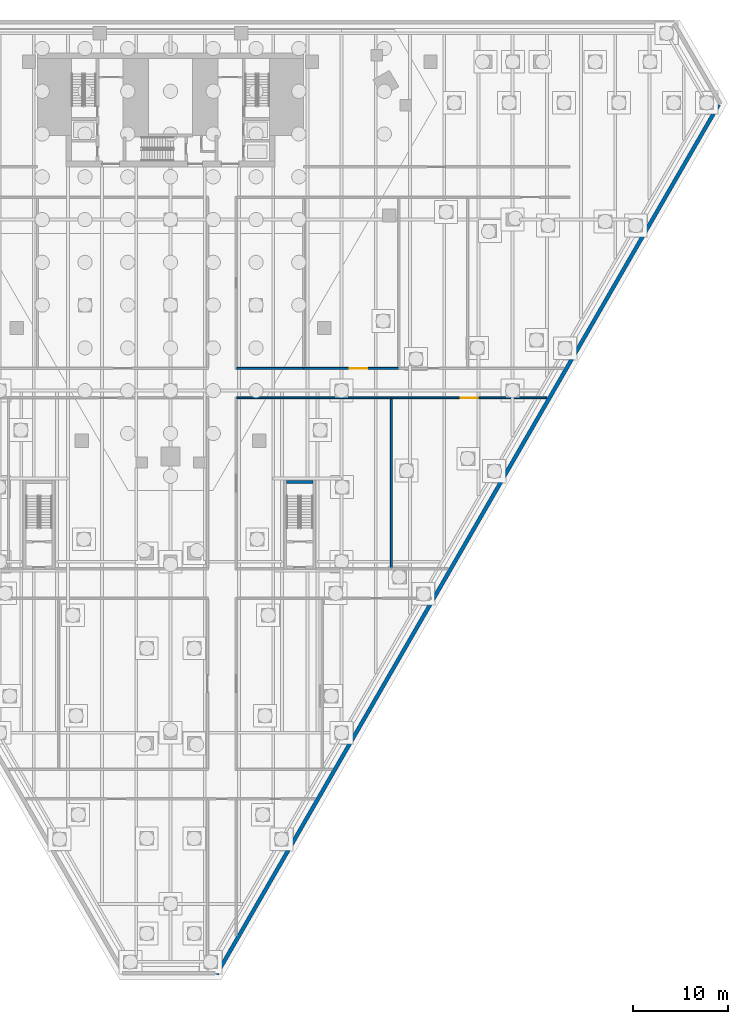
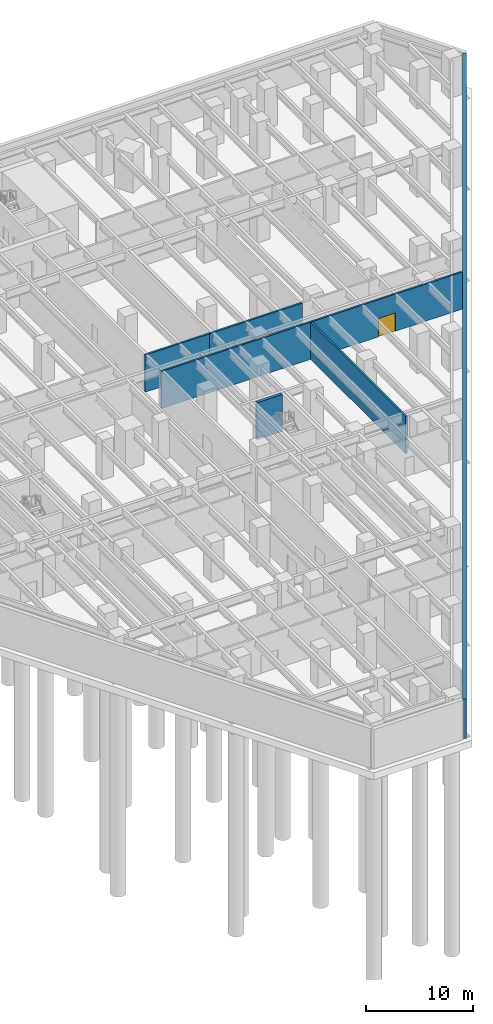
# One storey, part 10 of 18: 7 walls, 2 doors, 2 openings.
"""IFC4 building model written with IfcOpenShell, lengths in metres."""

import ifcopenshell
import ifcopenshell.guid

model = None  # the IFC model being written
_history = None  # IfcOwnerHistory: only IFC2X3 demands one
_inside = {}  # id of a spatial element -> (the spatial element, [elements in it])
_under = {}  # id of a project, library or spatial element -> (it, [spatial elements below it])
_declared = {}  # id of a project -> (the project, [libraries it declares])
_typed = {}  # id of a type object -> (the type object, [elements of that type])
_made_of = {}  # id of a material, layer set ... -> (it, [elements and type objects made of it])


def new_model(schema):
    """Start an empty IFC model of exactly this schema.

    Asked for "IFC4X3", IfcOpenShell would pick the latest addendum, in which some entities
    have other attributes; the version numbers below select the first issue.
    IFC2X3 requires an IfcOwnerHistory on every rooted entity: one is made here for all.
    """
    global model, _history
    if schema == "IFC4X3":
        model = ifcopenshell.file(schema_version=(4, 3, 0, 0))
    else:
        model = ifcopenshell.file(schema=schema)
    _inside.clear()
    _under.clear()
    _declared.clear()
    _typed.clear()
    _made_of.clear()
    _history = None
    if model.schema == "IFC2X3":
        org = make("IfcOrganization", Name="unknown")
        user = make(
            "IfcPersonAndOrganization",
            ThePerson=make("IfcPerson", FamilyName="unknown"),
            TheOrganization=org,
        )
        app = make(
            "IfcApplication",
            ApplicationDeveloper=org,
            Version="unknown",
            ApplicationFullName="unknown",
            ApplicationIdentifier="unknown",
        )
        _history = make(
            "IfcOwnerHistory",
            OwningUser=user,
            OwningApplication=app,
            ChangeAction="ADDED",
            CreationDate=0,
        )
    return model


def make(cls, **values):
    """One entity of the class cls with the attributes given. An attribute that is None is left unset."""
    return model.create_entity(
        cls, **{name: value for name, value in values.items() if value is not None}
    )


def rooted(cls, **values):
    """An entity with a GlobalId (a new one), such as an element, a storey or a relation."""
    return make(cls, GlobalId=ifcopenshell.guid.new(), OwnerHistory=_history, **values)


def si_unit(unit_type, name, prefix=None):
    """IfcSIUnit, for example si_unit("LENGTHUNIT", "METRE", prefix="MILLI")."""
    return make("IfcSIUnit", UnitType=unit_type, Prefix=prefix, Name=name)


def assignment(units):
    """IfcUnitAssignment: the units of a project."""
    return None if units is None else make("IfcUnitAssignment", Units=units)


def point(xyz):
    """IfcCartesianPoint."""
    return None if xyz is None else make("IfcCartesianPoint", Coordinates=xyz)


def direction(xyz):
    """IfcDirection."""
    return None if xyz is None else make("IfcDirection", DirectionRatios=xyz)


def frame(location, z_axis=None, x_axis=None):
    """IfcAxis2Placement3D, a coordinate frame: its origin and axes. An axis left out is left unset."""
    return make(
        "IfcAxis2Placement3D",
        Location=point(location),
        Axis=direction(z_axis),
        RefDirection=direction(x_axis),
    )


def frame_2d(location, x_axis=None):
    """IfcAxis2Placement2D, a coordinate frame in the plane: its origin and x axis."""
    return make(
        "IfcAxis2Placement2D", Location=point(location), RefDirection=direction(x_axis)
    )


def origin():
    """The frame at (0, 0, 0) with its axes left unset."""
    return frame((0.0, 0.0, 0.0))


def place(relative_to, where):
    """IfcLocalPlacement: puts the frame where relative to a parent placement (None: the world)."""
    return make(
        "IfcLocalPlacement", PlacementRelTo=relative_to, RelativePlacement=where
    )


def context(
    kind, dimensions, precision=None, world=None, true_north=None, identifier=None
):
    """IfcGeometricRepresentationContext, for example the 3D "Model" context."""
    return make(
        "IfcGeometricRepresentationContext",
        ContextIdentifier=identifier,
        ContextType=kind,
        CoordinateSpaceDimension=dimensions,
        Precision=precision,
        WorldCoordinateSystem=world,
        TrueNorth=true_north,
    )


def subcontext(parent, identifier, kind, view, scale=None):
    """IfcGeometricRepresentationSubContext, for example "Body" below "Model"."""
    return make(
        "IfcGeometricRepresentationSubContext",
        ContextIdentifier=identifier,
        ContextType=kind,
        ParentContext=parent,
        TargetScale=scale,
        TargetView=view,
    )


def project(units=None, contexts=None):
    """IfcProject with its units and contexts."""
    return rooted(
        "IfcProject",
        Name="project",
        RepresentationContexts=contexts,
        UnitsInContext=assignment(units),
    )


def spatial(cls, under=None, at=None, **own):
    """A site, building, storey or space (cls), placed at a placement, below another one or the project."""
    s = rooted(cls, ObjectPlacement=at, **own)
    if under is not None:
        _under.setdefault(under.id(), (under, []))[1].append(s)
    return s


def profile(cls, at=None, kind="AREA", **sizes):
    """A parametric profile (cls). Its sizes go by their IFC names, for example OverallWidth=200.0."""
    return make(cls, ProfileType=kind, Position=at, **sizes)


def rectangle(**sizes):
    """IfcRectangleProfileDef."""
    return profile("IfcRectangleProfileDef", **sizes)


def extrude(swept, where, along, depth):
    """IfcExtrudedAreaSolid: the profile swept, set in the frame where, extruded along a direction by depth."""
    return make(
        "IfcExtrudedAreaSolid",
        SweptArea=swept,
        Position=where,
        ExtrudedDirection=direction(along),
        Depth=depth,
    )


def shape(context_of_items, identifier, shape_type, items):
    """IfcShapeRepresentation: the items that make up one representation, for example the "Body"."""
    return make(
        "IfcShapeRepresentation",
        ContextOfItems=context_of_items,
        RepresentationIdentifier=identifier,
        RepresentationType=shape_type,
        Items=items,
    )


def material(Name=None, Category=None):
    """IfcMaterial."""
    return make("IfcMaterial", Name=Name, Category=Category)


def layer(
    of_material, thickness, ventilated=None, Name=None, Category=None, Priority=None
):
    """IfcMaterialLayer: one layer of a wall or slab, of a material (None: an air gap)."""
    return make(
        "IfcMaterialLayer",
        Material=of_material,
        LayerThickness=thickness,
        IsVentilated=ventilated,
        Name=Name,
        Category=Category,
        Priority=Priority,
    )


def layer_set(layers, Name=None):
    """IfcMaterialLayerSet."""
    return make("IfcMaterialLayerSet", MaterialLayers=layers, LayerSetName=Name)


def made_of(thing, what):
    """Note that an element or type object is made of a material, layer set ...; save() writes the relation."""
    if what is not None:
        _made_of.setdefault(what.id(), (what, []))[1].append(thing)
    return thing


def type_object(cls, material=None, **own):
    """A type object (cls), such as IfcWallType, which elements share."""
    return made_of(rooted(cls, **own), material)


def element(
    cls,
    number,
    at=None,
    inside=None,
    cuts=None,
    type_object=None,
    material=None,
    context=None,
    identifier="Body",
    shape_type=None,
    held_by="IfcProductDefinitionShape",
    body=None,
    shapes=None,
    **own,
):
    """One element of the class cls, such as IfcWall. Its Tag is "e" and its number.

    at: its placement. inside: the storey or other place that contains it. cuts: it is an
    opening in that element (IfcRelVoidsElement). A single representation is given by context,
    identifier, shape_type and body (its items); several are given by shapes. held_by: the class
    of the entity that holds the representations. save() writes the other relations.
    """
    e = rooted(cls, Tag="e%d" % number, ObjectPlacement=at, **own)
    if body is not None:
        shapes = [shape(context, identifier, shape_type, body)]
    if shapes is not None:
        e.Representation = make(held_by, Representations=shapes)
    if inside is not None:
        _inside.setdefault(inside.id(), (inside, []))[1].append(e)
    if cuts is not None:
        rooted(
            "IfcRelVoidsElement", RelatingBuildingElement=cuts, RelatedOpeningElement=e
        )
    if type_object is not None:
        _typed.setdefault(type_object.id(), (type_object, []))[1].append(e)
    return made_of(e, material)


def fill(opening, filler):
    """IfcRelFillsElement: the door or window that sits in an opening."""
    return rooted(
        "IfcRelFillsElement",
        RelatingOpeningElement=opening,
        RelatedBuildingElement=filler,
    )


def aggregate(whole, parts):
    """IfcRelAggregates: a whole, such as a stair, and the parts it consists of."""
    return rooted("IfcRelAggregates", RelatingObject=whole, RelatedObjects=parts)


def save(model, path):
    """Write the relations noted so far, then the file.

    IfcRelAggregates (storeys below a building ...), IfcRelContainedInSpatialStructure (elements
    in a storey), IfcRelDefinesByType, IfcRelAssociatesMaterial and IfcRelDeclares: one each for
    every whole, place, type object, material and project.
    """
    for whole, parts in _under.values():
        aggregate(whole, parts)
    for where, things in _inside.values():
        rooted(
            "IfcRelContainedInSpatialStructure",
            RelatedElements=things,
            RelatingStructure=where,
        )
    for kind, things in _typed.values():
        rooted("IfcRelDefinesByType", RelatedObjects=things, RelatingType=kind)
    for what, things in _made_of.values():
        rooted("IfcRelAssociatesMaterial", RelatedObjects=things, RelatingMaterial=what)
    for by, libraries in _declared.values():
        rooted("IfcRelDeclares", RelatingContext=by, RelatedDefinitions=libraries)
    model.write(path)


model = new_model("IFC4")

# Units and contexts
model_context = context("Model", 3, precision=1e-05, world=origin(), true_north=direction((0.0, 1.0)))
body_context = subcontext(model_context, "Body", "Model", "MODEL_VIEW")
ifc_project = project(units=[si_unit("LENGTHUNIT", "METRE"), si_unit("AREAUNIT", "SQUARE_METRE"), si_unit("VOLUMEUNIT", "CUBIC_METRE"), si_unit("PLANEANGLEUNIT", "RADIAN"), si_unit("MASSUNIT", "GRAM", prefix="KILO")], contexts=[model_context])

# Site, building, storey
site_placement = place(None, origin())
site = spatial("IfcSite", under=ifc_project, at=site_placement, CompositionType="ELEMENT")
building_placement = place(site_placement, origin())
building = spatial("IfcBuilding", under=site, at=building_placement, Name="Aloe Facet Convention Tower", CompositionType="ELEMENT")
storey_placement = place(building_placement, frame((0.0, 0.0, -9.0)))
storey = spatial("IfcBuildingStorey", under=building, at=storey_placement, Name="B2", CompositionType="ELEMENT", Elevation=-9.0)

# Walls
ifc_material_1 = material(Name="Concrete C50/60", Category="concrete")
ifc_layer_1 = layer(ifc_material_1, 0.300048828125)
ifc_layer_set_1 = layer_set([ifc_layer_1], Name="CR-W-RC300-C5060")
wall_type_1 = type_object("IfcWallType", Name="CR-W-RC300-C5060", PredefinedType="SOLIDWALL", material=ifc_layer_set_1)
wall_1_placement = place(storey_placement, frame((92.22509765625, 89.39990234375, 0.0), z_axis=(0.0, 0.0, 1.0), x_axis=(1.0, 0.0, 0.0)))
element("IfcWall", 1, at=wall_1_placement, inside=storey, type_object=wall_type_1, Name="Exit stair wall B2-05", PredefinedType="SOLIDWALL", context=body_context, shape_type="SweptSolid", body=[
    extrude(rectangle(XDim=2.75, YDim=0.300048828125, at=frame_2d((1.375, 0.0))), origin(), (0.0, 0.0, 1.0), 4.25),
])
ifc_material_2 = material(Name="Masonry blockwork wall, plastered", Category="masonry")
ifc_layer_2 = layer(ifc_material_2, 0.199951171875)
ifc_layer_set_2 = layer_set([ifc_layer_2], Name="IN-POD-W-PLANT")
wall_type_2 = type_object("IfcWallType", Name="IN-POD-W-PLANT", PredefinedType="PARTITIONING", material=ifc_layer_set_2)
wall_2_placement = place(storey_placement, frame((103.2470703125, 80.3349609375, 0.0), z_axis=(0.0, 0.0, 1.0), x_axis=(0.0, 1.0, 0.0)))
element("IfcWall", 2, at=wall_2_placement, inside=storey, type_object=wall_type_2, Name="Partition B2-W025", PredefinedType="PARTITIONING", context=body_context, shape_type="SweptSolid", body=[
    extrude(rectangle(XDim=17.830078125, YDim=0.199951171875, at=frame_2d((8.9150390625, 0.0))), origin(), (0.0, 0.0, 1.0), 4.25),
])
wall_3_placement = place(storey_placement, frame((86.985107421875, 98.25, 0.0), z_axis=(0.0, 0.0, 1.0), x_axis=(1.0, 0.0, 0.0)))
element("IfcWall", 3, at=wall_3_placement, inside=storey, type_object=wall_type_2, Name="Partition B2-W030", PredefinedType="PARTITIONING", context=body_context, shape_type="SweptSolid", body=[
    extrude(rectangle(XDim=16.261962890625, YDim=0.199951171875, at=frame_2d((8.130859375, 0.0))), origin(), (0.0, 0.0, 1.0), 4.25),
])

# Wall, opening, door
wall_4_placement = place(storey_placement, frame((103.2470703125, 98.25, 0.0), z_axis=(0.0, 0.0, 1.0), x_axis=(1.0, 0.0, 0.0)))
wall_4 = element("IfcWall", 4, at=wall_4_placement, inside=storey, type_object=wall_type_2, Name="Partition B2-W031", PredefinedType="PARTITIONING", context=body_context, shape_type="SweptSolid", body=[
    extrude(rectangle(XDim=16.347412109375, YDim=0.199951171875, at=frame_2d((8.173828125, 0.0))), origin(), (0.0, 0.0, 1.0), 4.25),
])
opening_1_placement = place(wall_4_placement, frame((7.273681640625, 0.0, 0.0)))
opening_1 = element("IfcOpeningElement", 5, at=opening_1_placement, cuts=wall_4, Name="Opening B2-014", PredefinedType="OPENING", context=body_context, shape_type="SweptSolid", body=[
    extrude(rectangle(XDim=1.800048828125, YDim=2.10009765625, at=frame_2d((0.89990234375, 1.050048828125))), frame((0.0, 0.10986328125, 0.0), z_axis=(0.0, -1.0, 0.0), x_axis=(1.0, 0.0, 0.0)), (0.0, 0.0, 1.0), 0.219970703125),
])
ifc_material_3 = material(Name="Steel flush door pair, galvanised", Category="steel")
door_type = type_object("IfcDoorType", Name="IN-POD-D-PLANTPAIR", OperationType="DOUBLE_DOOR_SINGLE_SWING", PredefinedType="DOOR", material=ifc_material_3)
door_1_placement = place(opening_1_placement, origin())
door_1 = element("IfcDoor", 6, at=door_1_placement, inside=storey, type_object=door_type, Name="Door B2-014", OperationType="SINGLE_SWING_LEFT", OverallHeight=2.10009765625, OverallWidth=1.800048828125, PredefinedType="DOOR", context=body_context, shape_type="SweptSolid", body=[
    extrude(rectangle(XDim=1.800048828125, YDim=2.10009765625, at=frame_2d((0.89990234375, 1.050048828125))), frame((0.0, 0.02490234375, 0.0), z_axis=(0.0, -1.0, 0.0), x_axis=(1.0, 0.0, 0.0)), (0.0, 0.0, 1.0), 0.050048828125),
])
fill(opening_1, door_1)

# Wall
wall_5_placement = place(storey_placement, frame((86.985107421875, 101.35009765625, 0.0), z_axis=(0.0, 0.0, 1.0), x_axis=(1.0, 0.0, 0.0)))
element("IfcWall", 7, at=wall_5_placement, inside=storey, type_object=wall_type_2, Name="Partition B2-W040", PredefinedType="PARTITIONING", context=body_context, shape_type="SweptSolid", body=[
    extrude(rectangle(XDim=7.014892578125, YDim=0.199951171875, at=frame_2d((3.50732421875, 0.0))), origin(), (0.0, 0.0, 1.0), 4.25),
])

# Wall, opening, door
wall_6_placement = place(storey_placement, frame((94.0, 101.35009765625, 0.0), z_axis=(0.0, 0.0, 1.0), x_axis=(1.0, 0.0, 0.0)))
wall_6 = element("IfcWall", 8, at=wall_6_placement, inside=storey, type_object=wall_type_2, Name="Partition B2-W042", PredefinedType="PARTITIONING", context=body_context, shape_type="SweptSolid", body=[
    extrude(rectangle(XDim=10.033203125, YDim=0.199951171875, at=frame_2d((5.0166015625, 0.0))), origin(), (0.0, 0.0, 1.0), 4.25),
])
opening_2_placement = place(wall_6_placement, frame((4.8798828125, 0.0, 0.0)))
opening_2 = element("IfcOpeningElement", 9, at=opening_2_placement, cuts=wall_6, Name="Opening B2-008", PredefinedType="OPENING", context=body_context, shape_type="SweptSolid", body=[
    extrude(rectangle(XDim=1.800048828125, YDim=2.10009765625, at=frame_2d((0.89990234375, 1.050048828125))), frame((0.0, 0.10986328125, 0.0), z_axis=(0.0, -1.0, 0.0), x_axis=(1.0, 0.0, 0.0)), (0.0, 0.0, 1.0), 0.219970703125),
])
door_2_placement = place(opening_2_placement, origin())
door_2 = element("IfcDoor", 10, at=door_2_placement, inside=storey, type_object=door_type, Name="Door B2-008", OperationType="SINGLE_SWING_LEFT", OverallHeight=2.10009765625, OverallWidth=1.800048828125, PredefinedType="DOOR", context=body_context, shape_type="SweptSolid", body=[
    extrude(rectangle(XDim=1.800048828125, YDim=2.10009765625, at=frame_2d((0.89990234375, 1.050048828125))), frame((0.0, 0.02490234375, 0.0), z_axis=(0.0, -1.0, 0.0), x_axis=(1.0, 0.0, 0.0)), (0.0, 0.0, 1.0), 0.050048828125),
])
fill(opening_2, door_2)

# Wall
ifc_material_4 = material(Name="Concrete C40/50", Category="concrete")
ifc_layer_3 = layer(ifc_material_4, 0.39990234375)
ifc_layer_set_3 = layer_set([ifc_layer_3], Name="SF-RW-400")
wall_type_3 = type_object("IfcWallType", Name="SF-RW-400", PredefinedType="SOLIDWALL", material=ifc_layer_set_3)
wall_7_placement = place(storey_placement, frame((137.688232421875, 129.08935546875, -0.300048828125), z_axis=(0.0, 0.0, 1.0), x_axis=(-0.499999742059, -0.866025552707, 0.0)))
element("IfcWall", 11, at=wall_7_placement, inside=storey, type_object=wall_type_3, Name="RETAINING WALL B2-01", PredefinedType="SOLIDWALL", context=body_context, shape_type="SweptSolid", body=[
    extrude(rectangle(XDim=105.65869140625, YDim=0.39990234375, at=frame_2d((52.829345703125, 0.0))), origin(), (0.0, 0.0, 1.0), 4.550048828125),
])

save(model, "model.ifc")
